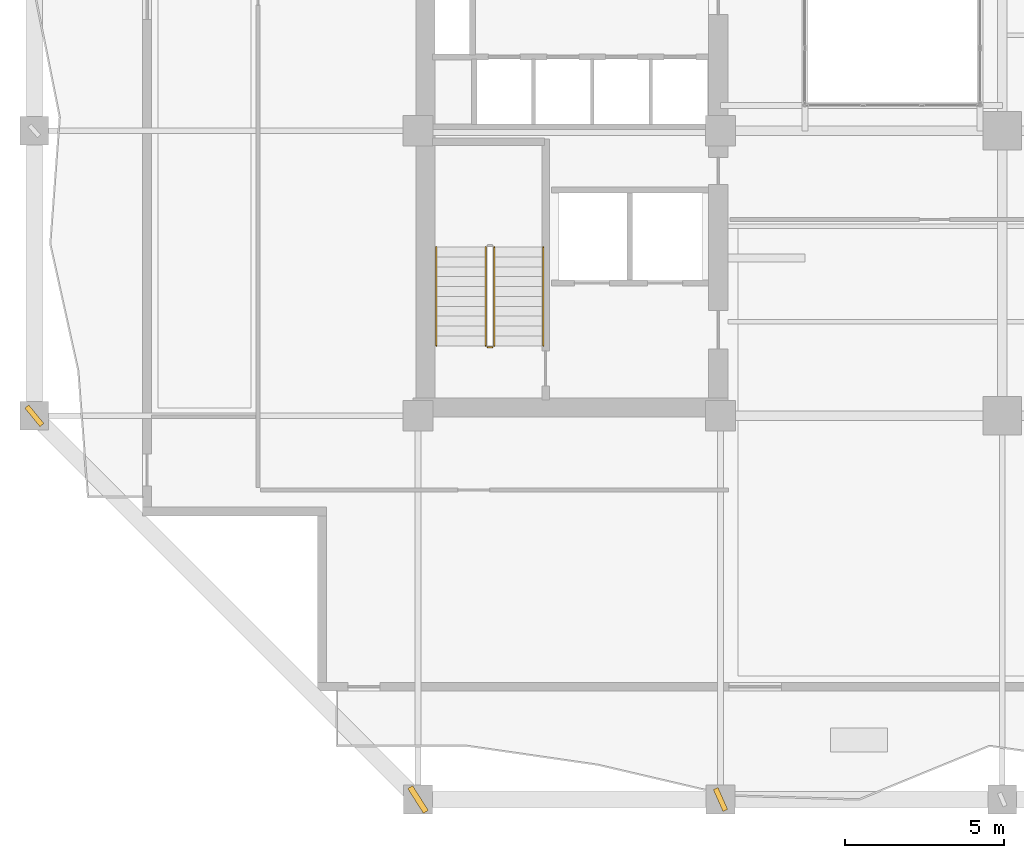
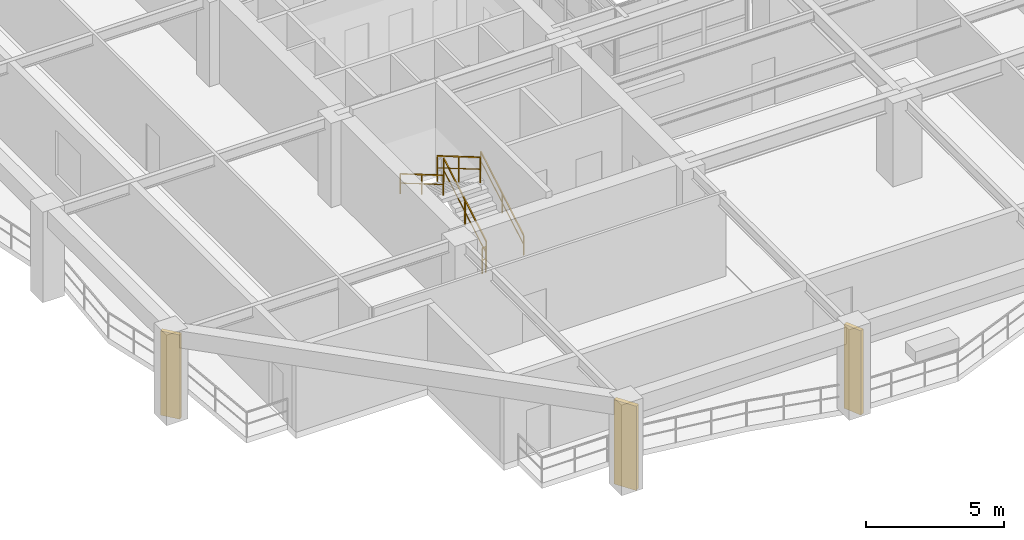
# One storey, part 10 of 17: 5 railings, 3 shading devices.
"""IFC4 building model written with IfcOpenShell, lengths in metres."""

from ifc_helpers import new_model, si_unit, direction, frame, origin, origin_2d, place, context, subcontext, project, spatial, rectangle, extrude, material, type_object, element, save


model = new_model("IFC4")

# Units and contexts
model_context = context("Model", 3, precision=1e-05, world=origin(), true_north=direction((0.0, 1.0)))
body_context = subcontext(model_context, "Body", "Model", "MODEL_VIEW")
ifc_project = project(units=[si_unit("LENGTHUNIT", "METRE"), si_unit("AREAUNIT", "SQUARE_METRE"), si_unit("VOLUMEUNIT", "CUBIC_METRE"), si_unit("PLANEANGLEUNIT", "RADIAN"), si_unit("MASSUNIT", "GRAM", prefix="KILO")], contexts=[model_context])

# Site, building, storey
site_placement = place(None, origin())
site = spatial("IfcSite", under=ifc_project, at=site_placement, CompositionType="ELEMENT")
building_placement = place(site_placement, origin())
building = spatial("IfcBuilding", under=site, at=building_placement, Name="Kundavana Baori Tower", CompositionType="ELEMENT")
storey_placement = place(building_placement, frame((0.0, 0.0, 30.0)))
storey = spatial("IfcBuildingStorey", under=building, at=storey_placement, Name="L06", CompositionType="ELEMENT", Elevation=30.0)

# Railings
ifc_material_1 = material(Name="Architectural Patinated Bronze Metalwork")
railing_type_1 = type_object("IfcRailingType", Name="RL-GRD-1150", PredefinedType="GUARDRAIL", material=ifc_material_1)
railing_1_placement = place(storey_placement, frame((17.840087890625, 17.449951171875, 0.181884765625)))
element("IfcRailing", 1, at=railing_1_placement, inside=storey, type_object=railing_type_1, Name="L06 ST1 stair guard 1", PredefinedType="GUARDRAIL", context=body_context, shape_type="SweptSolid", body=[
    extrude(rectangle(XDim=0.048095703125, YDim=0.048095703125, at=origin_2d()), frame((0.0, 0.0, 1.1259765625), z_axis=(0.0, 0.862598821094, 0.505888598258), x_axis=(-1.0, 0.0, 0.0)), (0.0, 0.0, 1.0), 3.593994140625),
    extrude(rectangle(XDim=0.03125, YDim=0.03125, at=origin_2d()), frame((0.0, 0.0, 0.597900390625), z_axis=(0.0, 0.862598821094, 0.505888598258), x_axis=(-1.0, 0.0, 0.0)), (0.0, 0.0, 1.0), 3.593994140625),
    extrude(rectangle(XDim=0.0419921875, YDim=0.0419921875, at=origin_2d()), origin(), (0.0, 0.0, 1.0), 1.101806640625),
    extrude(rectangle(XDim=0.0419921875, YDim=0.0419921875, at=origin_2d()), frame((0.0, 1.550048828125, 0.9091796875)), (0.0, 0.0, 1.0), 1.101806640625),
    extrude(rectangle(XDim=0.0419921875, YDim=0.0419921875, at=origin_2d()), frame((0.0, 3.10009765625, 1.818115234375)), (0.0, 0.0, 1.0), 1.101806640625),
])
railing_2_placement = place(storey_placement, frame((17.580078125, 20.550048828125, 2.181884765625)))
element("IfcRailing", 2, at=railing_2_placement, inside=storey, type_object=railing_type_1, Name="L06 ST1 stair guard 3", PredefinedType="GUARDRAIL", context=body_context, shape_type="SweptSolid", body=[
    extrude(rectangle(XDim=0.048095703125, YDim=0.048095703125, at=origin_2d()), frame((0.0, 0.0, 1.1259765625), z_axis=(0.0, -0.862598821094, 0.505888598258), x_axis=(1.0, 0.0, 0.0)), (0.0, 0.0, 1.0), 3.593994140625),
    extrude(rectangle(XDim=0.03125, YDim=0.03125, at=origin_2d()), frame((0.0, 0.0, 0.597900390625), z_axis=(0.0, -0.862598821094, 0.505888598258), x_axis=(1.0, 0.0, 0.0)), (0.0, 0.0, 1.0), 3.593994140625),
    extrude(rectangle(XDim=0.0419921875, YDim=0.0419921875, at=origin_2d()), origin(), (0.0, 0.0, 1.0), 1.101806640625),
    extrude(rectangle(XDim=0.0419921875, YDim=0.0419921875, at=origin_2d()), frame((0.0, -1.550048828125, 0.9091796875)), (0.0, 0.0, 1.0), 1.101806640625),
    extrude(rectangle(XDim=0.0419921875, YDim=0.0419921875, at=origin_2d()), frame((0.0, -3.10009765625, 1.818115234375)), (0.0, 0.0, 1.0), 1.101806640625),
])
railing_3_placement = place(storey_placement, frame((17.7900390625, 17.39990234375, 0.0)))
element("IfcRailing", 3, at=railing_3_placement, inside=storey, type_object=railing_type_1, Name="L06 ST1 stair guard 4", PredefinedType="GUARDRAIL", context=body_context, shape_type="SweptSolid", body=[
    extrude(rectangle(XDim=0.048095703125, YDim=0.048095703125, at=origin_2d()), frame((0.0, 0.0, 1.1259765625), z_axis=(-1.0, 0.0, 0.0), x_axis=(0.0, -1.0, 0.0)), (0.0, 0.0, 1.0), 0.16015625),
    extrude(rectangle(XDim=0.03125, YDim=0.03125, at=origin_2d()), frame((0.0, 0.0, 0.597900390625), z_axis=(-1.0, 0.0, 0.0), x_axis=(0.0, -1.0, 0.0)), (0.0, 0.0, 1.0), 0.16015625),
    extrude(rectangle(XDim=0.0419921875, YDim=0.0419921875, at=origin_2d()), origin(), (0.0, 0.0, 1.0), 1.101806640625),
    extrude(rectangle(XDim=0.0419921875, YDim=0.0419921875, at=origin_2d()), frame((-0.16015625, 0.0, 0.0)), (0.0, 0.0, 1.0), 1.101806640625),
])
ifc_material_2 = material(Name="Architectural Patinated Bronze Metalwork")
railing_type_2 = type_object("IfcRailingType", Name="RL-HND-920", PredefinedType="HANDRAIL", material=ifc_material_2)
railing_4_placement = place(storey_placement, frame((19.389892578125, 17.449951171875, 0.181884765625)))
element("IfcRailing", 4, at=railing_4_placement, inside=storey, type_object=railing_type_2, Name="L06 ST1 stair handrail 1", PredefinedType="HANDRAIL", context=body_context, shape_type="SweptSolid", body=[
    extrude(rectangle(XDim=0.048095703125, YDim=0.048095703125, at=origin_2d()), frame((0.0, 0.0, 0.8759765625), z_axis=(0.0, 0.862598821094, 0.505888598258), x_axis=(-1.0, 0.0, 0.0)), (0.0, 0.0, 1.0), 3.593994140625),
    extrude(rectangle(XDim=0.03125, YDim=0.03125, at=origin_2d()), frame((0.0, 0.0, 0.468017578125), z_axis=(0.0, 0.862598821094, 0.505888598258), x_axis=(-1.0, 0.0, 0.0)), (0.0, 0.0, 1.0), 3.593994140625),
    extrude(rectangle(XDim=0.0419921875, YDim=0.0419921875, at=origin_2d()), origin(), (0.0, 0.0, 1.0), 0.851806640625),
    extrude(rectangle(XDim=0.0419921875, YDim=0.0419921875, at=origin_2d()), frame((0.0, 1.550048828125, 0.9091796875)), (0.0, 0.0, 1.0), 0.851806640625),
    extrude(rectangle(XDim=0.0419921875, YDim=0.0419921875, at=origin_2d()), frame((0.0, 3.10009765625, 1.818115234375)), (0.0, 0.0, 1.0), 0.851806640625),
])
railing_5_placement = place(storey_placement, frame((16.030029296875, 20.550048828125, 2.181884765625)))
element("IfcRailing", 5, at=railing_5_placement, inside=storey, type_object=railing_type_2, Name="L06 ST1 stair handrail 2", PredefinedType="HANDRAIL", context=body_context, shape_type="SweptSolid", body=[
    extrude(rectangle(XDim=0.048095703125, YDim=0.048095703125, at=origin_2d()), frame((0.0, 0.0, 0.8759765625), z_axis=(0.0, -0.862598821094, 0.505888598258), x_axis=(1.0, 0.0, 0.0)), (0.0, 0.0, 1.0), 3.593994140625),
    extrude(rectangle(XDim=0.03125, YDim=0.03125, at=origin_2d()), frame((0.0, 0.0, 0.468017578125), z_axis=(0.0, -0.862598821094, 0.505888598258), x_axis=(1.0, 0.0, 0.0)), (0.0, 0.0, 1.0), 3.593994140625),
    extrude(rectangle(XDim=0.0419921875, YDim=0.0419921875, at=origin_2d()), origin(), (0.0, 0.0, 1.0), 0.851806640625),
    extrude(rectangle(XDim=0.0419921875, YDim=0.0419921875, at=origin_2d()), frame((0.0, -1.550048828125, 0.9091796875)), (0.0, 0.0, 1.0), 0.851806640625),
    extrude(rectangle(XDim=0.0419921875, YDim=0.0419921875, at=origin_2d()), frame((0.0, -3.10009765625, 1.818115234375)), (0.0, 0.0, 1.0), 0.851806640625),
])

# Shading devices
ifc_material_3 = material(Name="Red-Buff Dholpur Sandstone Cladding on Concrete C40/50", Category="masonry")
shading_device_type_1 = type_object("IfcShadingDeviceType", Name="SHD-FIN-750", PredefinedType="JALOUSIE", material=ifc_material_3)
for number, where, z_axis, x_axis, name in (
    (6, (24.949951171875, 3.199951171875, 0.0), (0.0, 0.0, 1.0), (0.914818748228, 0.403864652935, 0.0), "L06 Sweeping Dholpur Sandstone Facade Fin 2"),
    (7, (3.39990234375, 15.25, 0.0), (0.0, 0.0, 1.0), (0.773950743756, 0.633245802386, 0.0), "L06 Sweeping Dholpur Sandstone Facade Fin 5"),
):
    element("IfcShadingDevice", number, at=place(storey_placement, frame(where, z_axis=z_axis, x_axis=x_axis)), inside=storey, type_object=shading_device_type_1, Name=name, PredefinedType="JALOUSIE", context=body_context, shape_type="SweptSolid", body=[
        extrude(rectangle(XDim=0.159912109375, YDim=0.75, at=origin_2d()), origin(), (0.0, 0.0, 1.0), 3.719970703125),
    ])
ifc_material_4 = material(Name="Red-Buff Dholpur Sandstone Cladding on Concrete C40/50", Category="masonry")
shading_device_type_2 = type_object("IfcShadingDeviceType", Name="SHD-FIN-920", PredefinedType="JALOUSIE", material=ifc_material_4)
shading_device_placement = place(storey_placement, frame((15.449951171875, 3.199951171875, 0.0), z_axis=(0.0, 0.0, 1.0), x_axis=(0.844140835231, 0.536121488374, 0.0)))
element("IfcShadingDevice", 8, at=shading_device_placement, inside=storey, type_object=shading_device_type_2, Name="L06 Sweeping Dholpur Sandstone Facade Fin 1", PredefinedType="JALOUSIE", context=body_context, shape_type="SweptSolid", body=[
    extrude(rectangle(XDim=0.179931640625, YDim=0.919921875, at=origin_2d()), origin(), (0.0, 0.0, 1.0), 3.719970703125),
])

save(model, "model.ifc")
